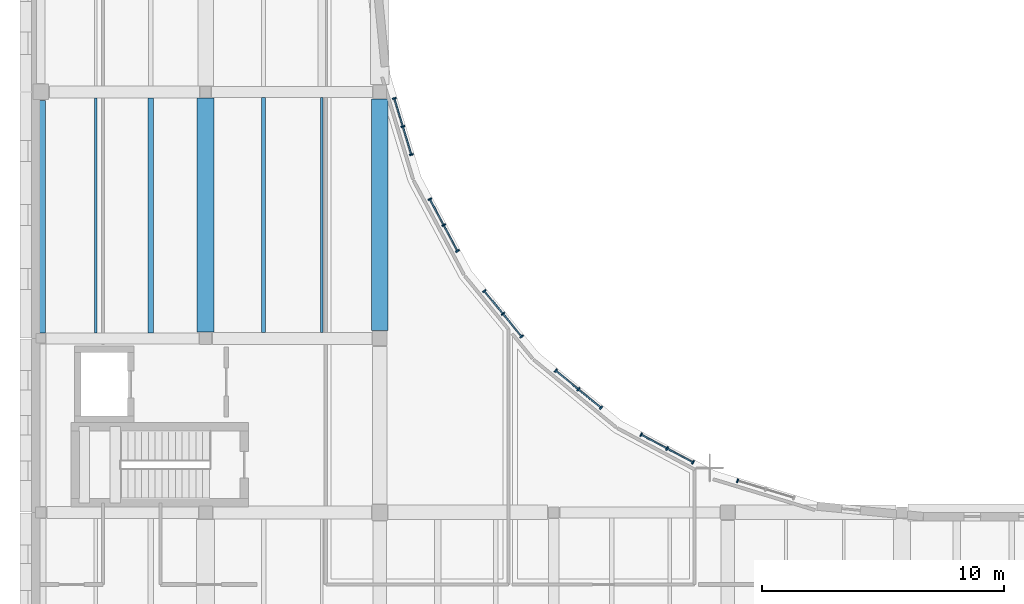
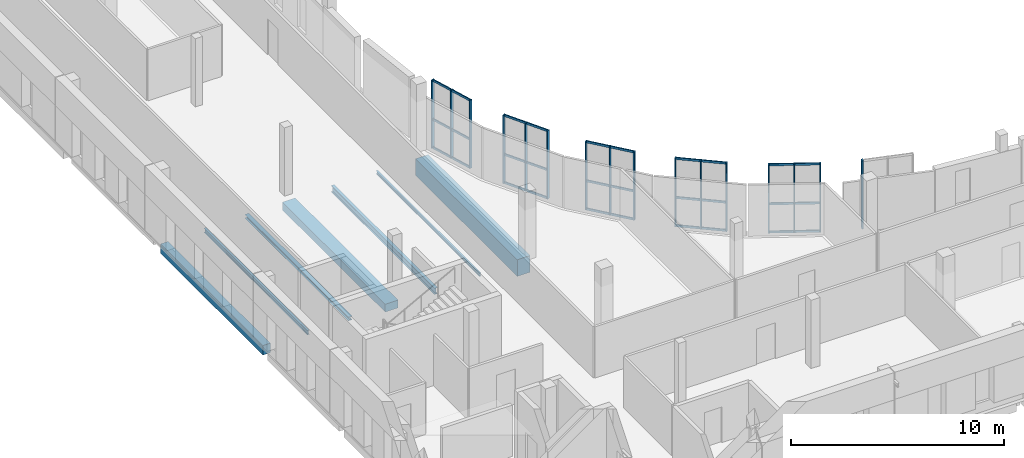
# One storey, part 9 of 76: 46 members, 7 beams, 6 elements without a shape of their own.
"""IFC4 building model written with IfcOpenShell, lengths in metres."""

from ifc_helpers import new_model, si_unit, direction, frame, origin, origin_2d, place, context, subcontext, project, spatial, rectangle, i_section, extrude, material, layer, layer_set, material_profile, profile_set, type_object, element, aggregate, save


model = new_model("IFC4")

# Units and contexts
model_context = context("Model", 3, precision=1e-05, world=origin(), true_north=direction((0.0, 1.0)))
body_context = subcontext(model_context, "Body", "Model", "MODEL_VIEW")
ifc_project = project(units=[si_unit("LENGTHUNIT", "METRE"), si_unit("AREAUNIT", "SQUARE_METRE"), si_unit("VOLUMEUNIT", "CUBIC_METRE"), si_unit("PLANEANGLEUNIT", "RADIAN"), si_unit("MASSUNIT", "GRAM", prefix="KILO")], contexts=[model_context])

# Site, building, storey
site_placement = place(None, origin())
site = spatial("IfcSite", under=ifc_project, at=site_placement, CompositionType="ELEMENT")
building_placement = place(site_placement, origin())
building = spatial("IfcBuilding", under=site, at=building_placement, Name="Vardoun Plaza Health Centre", CompositionType="ELEMENT")
storey_placement = place(building_placement, frame((0.0, 0.0, 4.5)))
storey = spatial("IfcBuildingStorey", under=building, at=storey_placement, Name="L01", CompositionType="ELEMENT", Elevation=4.5)

# Beams
ifc_material_1 = material(Name="Concrete C35/45", Category="concrete")
ifc_material_profile_1 = material_profile(ifc_material_1, rectangle(XDim=0.39990234375, YDim=0.550048828125, at=origin_2d()), Name="RC-BM 400x550")
ifc_profile_set_1 = profile_set([ifc_material_profile_1], Name="Concrete C35/45")
beam_type_1 = type_object("IfcBeamType", Name="B-09", PredefinedType="SPANDREL", material=ifc_profile_set_1)
beam_1_placement = place(storey_placement, frame((4.8798828125, 26.324951171875, -0.554931640625), z_axis=(0.0, 1.0, 0.0), x_axis=(-1.0, 0.0, 0.0)))
element("IfcBeam", 1, at=beam_1_placement, inside=storey, type_object=beam_type_1, Name="V2 L01 Beam B-V2-L01-Y36", PredefinedType="SPANDREL", context=body_context, shape_type="SweptSolid", body=[
    extrude(rectangle(XDim=0.39990234375, YDim=0.550048828125, at=origin_2d()), origin(), (0.0, 0.0, 1.0), 9.625),
])
ifc_material_2 = material(Name="Concrete C35/45", Category="concrete")
ifc_material_profile_2 = material_profile(ifc_material_2, rectangle(XDim=0.699951171875, YDim=0.449951171875, at=origin_2d()), Name="RC-BM 700x450")
ifc_profile_set_2 = profile_set([ifc_material_profile_2], Name="Concrete C35/45")
beam_type_2 = type_object("IfcBeamType", Name="B-06", PredefinedType="BEAM", material=ifc_profile_set_2)
beam_2_placement = place(storey_placement, frame((11.699951171875, 26.375, -0.5048828125), z_axis=(0.0, 1.0, 0.0), x_axis=(-1.0, 0.0, 0.0)))
element("IfcBeam", 2, at=beam_2_placement, inside=storey, type_object=beam_type_2, Name="V2 L01 Beam B-V2-L01-Y43", PredefinedType="BEAM", context=body_context, shape_type="SweptSolid", body=[
    extrude(rectangle(XDim=0.699951171875, YDim=0.449951171875, at=origin_2d()), origin(), (0.0, 0.0, 1.0), 9.675048828125),
])
ifc_material_3 = material(Name="Concrete C40/50", Category="concrete")
ifc_material_profile_3 = material_profile(ifc_material_3, rectangle(XDim=0.699951171875, YDim=0.949951171875, at=origin_2d()), Name="RC-BM 700x950")
ifc_profile_set_3 = profile_set([ifc_material_profile_3], Name="Concrete C40/50")
beam_type_3 = type_object("IfcBeamType", Name="B-16", PredefinedType="LINTEL", material=ifc_profile_set_3)
beam_3_placement = place(storey_placement, frame((18.89990234375, 26.425048828125, -0.7548828125), z_axis=(0.0, 1.0, 0.0), x_axis=(-1.0, 0.0, 0.0)))
element("IfcBeam", 3, at=beam_3_placement, inside=storey, type_object=beam_type_3, Name="V2 L01 Beam B-V2-L01-Y52", PredefinedType="LINTEL", context=body_context, shape_type="SweptSolid", body=[
    extrude(rectangle(XDim=0.699951171875, YDim=0.949951171875, at=origin_2d()), origin(), (0.0, 0.0, 1.0), 9.574951171875),
])
ifc_material_4 = material(Name="Steel S355J2", Category="steel")
ifc_material_profile_4 = material_profile(ifc_material_4, i_section(OverallWidth=0.219970703125, OverallDepth=0.2099609375, WebThickness=0.007080078125, FlangeThickness=0.010986328125, FilletRadius=0.01806640625, at=origin_2d()), Name="HEA 220")
ifc_profile_set_4 = profile_set([ifc_material_profile_4], Name="Steel S355J2")
beam_type_4 = type_object("IfcBeamType", Name="SB-08", PredefinedType="BEAM", material=ifc_profile_set_4)
beam_4_placement = place(storey_placement, frame((9.427001953125, 26.324951171875, -0.385009765625), z_axis=(0.0, 1.0, 0.0), x_axis=(-1.0, 0.0, 0.0)))
element("IfcBeam", 4, at=beam_4_placement, inside=storey, type_object=beam_type_4, Name="V2 L01 Secondary Floor Beam SJ-V2-L01-09", PredefinedType="BEAM", context=body_context, shape_type="SweptSolid", body=[
    extrude(i_section(OverallWidth=0.219970703125, OverallDepth=0.2099609375, WebThickness=0.007080078125, FlangeThickness=0.010986328125, FilletRadius=0.01806640625, at=origin_2d()), origin(), (0.0, 0.0, 1.0), 9.72509765625),
])
ifc_material_5 = material(Name="Steel S355J2", Category="steel")
ifc_material_profile_5 = material_profile(ifc_material_5, i_section(OverallWidth=0.091064453125, OverallDepth=0.179931640625, WebThickness=0.00537109375, FlangeThickness=0.008056640625, FilletRadius=0.009033203125, at=origin_2d()), Name="IPE 180")
ifc_profile_set_5 = profile_set([ifc_material_profile_5], Name="Steel S355J2")
beam_type_5 = type_object("IfcBeamType", Name="SB-20", PredefinedType="SPANDREL", material=ifc_profile_set_5)
beam_5_placement = place(storey_placement, frame((16.500244140625, 26.35009765625, -0.3701171875), z_axis=(0.0, 1.0, 0.0), x_axis=(-1.0, 0.0, 0.0)))
element("IfcBeam", 5, at=beam_5_placement, inside=storey, type_object=beam_type_5, Name="V2 L01 Secondary Floor Beam SJ-V2-L01-23", PredefinedType="SPANDREL", context=body_context, shape_type="SweptSolid", body=[
    extrude(i_section(OverallWidth=0.091064453125, OverallDepth=0.179931640625, WebThickness=0.00537109375, FlangeThickness=0.008056640625, FilletRadius=0.009033203125, at=origin_2d()), origin(), (0.0, 0.0, 1.0), 9.724853515625),
])
ifc_material_6 = material(Name="Steel S355J2", Category="steel")
ifc_material_profile_6 = material_profile(ifc_material_6, i_section(OverallWidth=0.1201171875, OverallDepth=0.239990234375, WebThickness=0.006103515625, FlangeThickness=0.009765625, FilletRadius=0.014892578125, at=origin_2d()), Name="IPE 240")
ifc_profile_set_6 = profile_set([ifc_material_profile_6], Name="Steel S355J2")
beam_type_6 = type_object("IfcBeamType", Name="SB-17", PredefinedType="JOIST", material=ifc_profile_set_6)
beam_6_placement = place(storey_placement, frame((7.153076171875, 26.324951171875, -0.39990234375), z_axis=(0.0, 1.0, 0.0), x_axis=(-1.0, 0.0, 0.0)))
element("IfcBeam", 6, at=beam_6_placement, inside=storey, type_object=beam_type_6, Name="V2 L01 Secondary Floor Beam SJ-V2-L01-02", PredefinedType="JOIST", context=body_context, shape_type="SweptSolid", body=[
    extrude(i_section(OverallWidth=0.1201171875, OverallDepth=0.239990234375, WebThickness=0.006103515625, FlangeThickness=0.009765625, FilletRadius=0.014892578125, at=origin_2d()), origin(), (0.0, 0.0, 1.0), 9.72509765625),
])
ifc_material_7 = material(Name="Steel S355J2", Category="steel")
ifc_material_profile_7 = material_profile(ifc_material_7, i_section(OverallWidth=0.169921875, OverallDepth=0.360107421875, WebThickness=0.008056640625, FlangeThickness=0.0126953125, FilletRadius=0.01806640625, at=origin_2d()), Name="IPE 360")
ifc_profile_set_7 = profile_set([ifc_material_profile_7], Name="Steel S355J2")
beam_type_7 = type_object("IfcBeamType", Name="SB-13", PredefinedType="JOIST", material=ifc_profile_set_7)
beam_7_placement = place(storey_placement, frame((14.099853515625, 26.35009765625, -0.4599609375), z_axis=(0.0, 1.0, 0.0), x_axis=(-1.0, 0.0, 0.0)))
element("IfcBeam", 7, at=beam_7_placement, inside=storey, type_object=beam_type_7, Name="V2 L01 Secondary Floor Beam SJ-V2-L01-16", PredefinedType="JOIST", context=body_context, shape_type="SweptSolid", body=[
    extrude(i_section(OverallWidth=0.169921875, OverallDepth=0.360107421875, WebThickness=0.008056640625, FlangeThickness=0.0126953125, FilletRadius=0.01806640625, at=origin_2d()), origin(), (0.0, 0.0, 1.0), 9.724853515625),
])

# Curtain wall, members
ifc_material_8 = material(Name="Aluminium Alloy EN AW-6063-T6 and Low-E Glass", Category="aluminium")
ifc_layer = layer(ifc_material_8, 0.159912109375)
ifc_layer_set = layer_set([ifc_layer], Name="Aluminium Alloy EN AW-6063-T6 and Low-E Glass")
curtain_wall_type = type_object("IfcCurtainWallType", Name="CW-02", PredefinedType="USERDEFINED", material=ifc_layer_set)
curtain_wall_1_placement = place(storey_placement, origin())
curtain_wall_1 = element("IfcCurtainWall", 8, at=curtain_wall_1_placement, inside=storey, type_object=curtain_wall_type, Name="Curtain Wall CW-V2-039", ObjectType="COURTYARD_CURTAIN_WALL", PredefinedType="USERDEFINED")
ifc_material_9 = material(Name="Aluminium Alloy EN AW-6063-T6", Category="aluminium")
ifc_material_profile_8 = material_profile(ifc_material_9, rectangle(XDim=0.159912109375, YDim=0.06005859375, at=origin_2d()), Name="CWM 60x160")
ifc_profile_set_8 = profile_set([ifc_material_profile_8], Name="Aluminium Alloy EN AW-6063-T6")
member_type_1 = type_object("IfcMemberType", Name="CW-M1", PredefinedType="MULLION", material=ifc_profile_set_8)
member_1_placement = place(storey_placement, frame((19.5048828125, 36.0283203125, 0.0), z_axis=(0.0, 0.0, 1.0), x_axis=(0.956935557474, 0.290300428595, 0.0)))
member_1 = element("IfcMember", 9, at=member_1_placement, type_object=member_type_1, Name="CW-V2-039 mullion 1", PredefinedType="MULLION", context=body_context, shape_type="SweptSolid", body=[
    extrude(rectangle(XDim=0.159912109375, YDim=0.06005859375, at=origin_2d()), origin(), (0.0, 0.0, 1.0), 3.919921875),
])
member_2_placement = place(storey_placement, frame((19.857666015625, 34.865234375, 0.0), z_axis=(0.0, 0.0, 1.0), x_axis=(0.956935557474, 0.290300428595, 0.0)))
member_2 = element("IfcMember", 10, at=member_2_placement, type_object=member_type_1, Name="CW-V2-039 mullion 2", PredefinedType="MULLION", context=body_context, shape_type="SweptSolid", body=[
    extrude(rectangle(XDim=0.159912109375, YDim=0.06005859375, at=origin_2d()), origin(), (0.0, 0.0, 1.0), 3.919921875),
])
member_3_placement = place(storey_placement, frame((20.21044921875, 33.7021484375, 0.0), z_axis=(0.0, 0.0, 1.0), x_axis=(0.956935557474, 0.290300428595, 0.0)))
member_3 = element("IfcMember", 11, at=member_3_placement, type_object=member_type_1, Name="CW-V2-039 mullion 3", PredefinedType="MULLION", context=body_context, shape_type="SweptSolid", body=[
    extrude(rectangle(XDim=0.159912109375, YDim=0.06005859375, at=origin_2d()), origin(), (0.0, 0.0, 1.0), 3.919921875),
])

curtain_wall_2_placement = place(storey_placement, origin())
curtain_wall_2 = element("IfcCurtainWall", 12, at=curtain_wall_2_placement, inside=storey, type_object=curtain_wall_type, Name="Curtain Wall CW-V2-040", ObjectType="COURTYARD_CURTAIN_WALL", PredefinedType="USERDEFINED")
member_4_placement = place(storey_placement, frame((20.9736328125, 31.860107421875, 0.0), z_axis=(0.0, 0.0, 1.0), x_axis=(0.881922459667, 0.471394500535, 0.0)))
member_4 = element("IfcMember", 13, at=member_4_placement, type_object=member_type_1, Name="CW-V2-040 mullion 1", PredefinedType="MULLION", context=body_context, shape_type="SweptSolid", body=[
    extrude(rectangle(XDim=0.159912109375, YDim=0.06005859375, at=origin_2d()), origin(), (0.0, 0.0, 1.0), 3.919921875),
])
member_5_placement = place(storey_placement, frame((21.54638671875, 30.7880859375, 0.0), z_axis=(0.0, 0.0, 1.0), x_axis=(0.881922459667, 0.471394500535, 0.0)))
member_5 = element("IfcMember", 14, at=member_5_placement, type_object=member_type_1, Name="CW-V2-040 mullion 2", PredefinedType="MULLION", context=body_context, shape_type="SweptSolid", body=[
    extrude(rectangle(XDim=0.159912109375, YDim=0.06005859375, at=origin_2d()), origin(), (0.0, 0.0, 1.0), 3.919921875),
])
member_6_placement = place(storey_placement, frame((22.119384765625, 29.71630859375, 0.0), z_axis=(0.0, 0.0, 1.0), x_axis=(0.881922459667, 0.471394500535, 0.0)))
member_6 = element("IfcMember", 15, at=member_6_placement, type_object=member_type_1, Name="CW-V2-040 mullion 3", PredefinedType="MULLION", context=body_context, shape_type="SweptSolid", body=[
    extrude(rectangle(XDim=0.159912109375, YDim=0.06005859375, at=origin_2d()), origin(), (0.0, 0.0, 1.0), 3.919921875),
])

curtain_wall_3_placement = place(storey_placement, origin())
curtain_wall_3 = element("IfcCurtainWall", 16, at=curtain_wall_3_placement, inside=storey, type_object=curtain_wall_type, Name="Curtain Wall CW-V2-041", ObjectType="COURTYARD_CURTAIN_WALL", PredefinedType="USERDEFINED")
member_7_placement = place(storey_placement, frame((23.227294921875, 28.058349609375, 0.0), z_axis=(0.0, 0.0, 1.0), x_axis=(0.773017333238, 0.634384900919, 0.0)))
member_7 = element("IfcMember", 17, at=member_7_placement, type_object=member_type_1, Name="CW-V2-041 mullion 1", PredefinedType="MULLION", context=body_context, shape_type="SweptSolid", body=[
    extrude(rectangle(XDim=0.159912109375, YDim=0.06005859375, at=origin_2d()), origin(), (0.0, 0.0, 1.0), 3.919921875),
])
member_8_placement = place(storey_placement, frame((23.998291015625, 27.118896484375, 0.0), z_axis=(0.0, 0.0, 1.0), x_axis=(0.773017333238, 0.634384900919, 0.0)))
member_8 = element("IfcMember", 18, at=member_8_placement, type_object=member_type_1, Name="CW-V2-041 mullion 2", PredefinedType="MULLION", context=body_context, shape_type="SweptSolid", body=[
    extrude(rectangle(XDim=0.159912109375, YDim=0.06005859375, at=origin_2d()), origin(), (0.0, 0.0, 1.0), 3.919921875),
])
member_9_placement = place(storey_placement, frame((24.769287109375, 26.17919921875, 0.0), z_axis=(0.0, 0.0, 1.0), x_axis=(0.773017333238, 0.634384900919, 0.0)))
member_9 = element("IfcMember", 19, at=member_9_placement, type_object=member_type_1, Name="CW-V2-041 mullion 3", PredefinedType="MULLION", context=body_context, shape_type="SweptSolid", body=[
    extrude(rectangle(XDim=0.159912109375, YDim=0.06005859375, at=origin_2d()), origin(), (0.0, 0.0, 1.0), 3.919921875),
])

curtain_wall_4_placement = place(storey_placement, origin())
curtain_wall_4 = element("IfcCurtainWall", 20, at=curtain_wall_4_placement, inside=storey, type_object=curtain_wall_type, Name="Curtain Wall CW-V2-042", ObjectType="COURTYARD_CURTAIN_WALL", PredefinedType="USERDEFINED")
member_10_placement = place(storey_placement, frame((26.17919921875, 24.769287109375, 0.0), z_axis=(0.0, 0.0, 1.0), x_axis=(0.634384900919, 0.773017333238, 0.0)))
member_10 = element("IfcMember", 21, at=member_10_placement, type_object=member_type_1, Name="CW-V2-042 mullion 1", PredefinedType="MULLION", context=body_context, shape_type="SweptSolid", body=[
    extrude(rectangle(XDim=0.159912109375, YDim=0.06005859375, at=origin_2d()), origin(), (0.0, 0.0, 1.0), 3.919921875),
])
member_11_placement = place(storey_placement, frame((27.118896484375, 23.998291015625, 0.0), z_axis=(0.0, 0.0, 1.0), x_axis=(0.634384900919, 0.773017333238, 0.0)))
member_11 = element("IfcMember", 22, at=member_11_placement, type_object=member_type_1, Name="CW-V2-042 mullion 2", PredefinedType="MULLION", context=body_context, shape_type="SweptSolid", body=[
    extrude(rectangle(XDim=0.159912109375, YDim=0.06005859375, at=origin_2d()), origin(), (0.0, 0.0, 1.0), 3.919921875),
])
member_12_placement = place(storey_placement, frame((28.058349609375, 23.227294921875, 0.0), z_axis=(0.0, 0.0, 1.0), x_axis=(0.634384900919, 0.773017333238, 0.0)))
member_12 = element("IfcMember", 23, at=member_12_placement, type_object=member_type_1, Name="CW-V2-042 mullion 3", PredefinedType="MULLION", context=body_context, shape_type="SweptSolid", body=[
    extrude(rectangle(XDim=0.159912109375, YDim=0.06005859375, at=origin_2d()), origin(), (0.0, 0.0, 1.0), 3.919921875),
])

curtain_wall_5_placement = place(storey_placement, origin())
curtain_wall_5 = element("IfcCurtainWall", 24, at=curtain_wall_5_placement, inside=storey, type_object=curtain_wall_type, Name="Curtain Wall CW-V2-043", ObjectType="COURTYARD_CURTAIN_WALL", PredefinedType="USERDEFINED")
member_13_placement = place(storey_placement, frame((29.71630859375, 22.119384765625, 0.0), z_axis=(0.0, 0.0, 1.0), x_axis=(0.471394500535, 0.881922459667, 0.0)))
member_13 = element("IfcMember", 25, at=member_13_placement, type_object=member_type_1, Name="CW-V2-043 mullion 1", PredefinedType="MULLION", context=body_context, shape_type="SweptSolid", body=[
    extrude(rectangle(XDim=0.159912109375, YDim=0.06005859375, at=origin_2d()), origin(), (0.0, 0.0, 1.0), 3.919921875),
])
member_14_placement = place(storey_placement, frame((30.7880859375, 21.54638671875, 0.0), z_axis=(0.0, 0.0, 1.0), x_axis=(0.471394500535, 0.881922459667, 0.0)))
member_14 = element("IfcMember", 26, at=member_14_placement, type_object=member_type_1, Name="CW-V2-043 mullion 2", PredefinedType="MULLION", context=body_context, shape_type="SweptSolid", body=[
    extrude(rectangle(XDim=0.159912109375, YDim=0.06005859375, at=origin_2d()), origin(), (0.0, 0.0, 1.0), 3.919921875),
])
member_15_placement = place(storey_placement, frame((31.860107421875, 20.9736328125, 0.0), z_axis=(0.0, 0.0, 1.0), x_axis=(0.471394500535, 0.881922459667, 0.0)))
member_15 = element("IfcMember", 27, at=member_15_placement, type_object=member_type_1, Name="CW-V2-043 mullion 3", PredefinedType="MULLION", context=body_context, shape_type="SweptSolid", body=[
    extrude(rectangle(XDim=0.159912109375, YDim=0.06005859375, at=origin_2d()), origin(), (0.0, 0.0, 1.0), 3.919921875),
])

# Curtain wall, member
curtain_wall_6_placement = place(storey_placement, origin())
curtain_wall_6 = element("IfcCurtainWall", 28, at=curtain_wall_6_placement, inside=storey, type_object=curtain_wall_type, Name="Curtain Wall CW-V2-044", ObjectType="COURTYARD_CURTAIN_WALL", PredefinedType="USERDEFINED")
member_16_placement = place(storey_placement, frame((33.7021484375, 20.21044921875, 0.0), z_axis=(0.0, 0.0, 1.0), x_axis=(0.290300428595, 0.956935557474, 0.0)))
member_16 = element("IfcMember", 29, at=member_16_placement, type_object=member_type_1, Name="CW-V2-044 mullion 1", PredefinedType="MULLION", context=body_context, shape_type="SweptSolid", body=[
    extrude(rectangle(XDim=0.159912109375, YDim=0.06005859375, at=origin_2d()), origin(), (0.0, 0.0, 1.0), 3.919921875),
])
aggregate(curtain_wall_6, [member_16])

# Member
ifc_material_10 = material(Name="Aluminium Alloy EN AW-6063-T6", Category="aluminium")
ifc_material_profile_9 = material_profile(ifc_material_10, rectangle(XDim=0.06005859375, YDim=0.1201171875, at=origin_2d()), Name="CWT 60x120")
ifc_profile_set_9 = profile_set([ifc_material_profile_9], Name="Aluminium Alloy EN AW-6063-T6")
member_type_2 = type_object("IfcMemberType", Name="CW-T1", PredefinedType="USERDEFINED", material=ifc_profile_set_9)
member_17_placement = place(storey_placement, frame((19.513427734375, 35.99951171875, 0.030029296875), z_axis=(0.290371029986, -0.956914136663, 0.0), x_axis=(0.956914136663, 0.290371029986, 0.0)))
member_17 = element("IfcMember", 30, at=member_17_placement, type_object=member_type_2, Name="CW-V2-039 transom 1.1", ObjectType="TRANSOM", PredefinedType="USERDEFINED", context=body_context, shape_type="SweptSolid", body=[
    extrude(rectangle(XDim=0.06005859375, YDim=0.1201171875, at=origin_2d()), origin(), (0.0, 0.0, 1.0), 1.1552734375),
])

member_18_placement = place(storey_placement, frame((19.513427734375, 35.99951171875, 1.646484375), z_axis=(0.290371029986, -0.956914136663, 0.0), x_axis=(0.956914136663, 0.290371029986, 0.0)))
member_18 = element("IfcMember", 31, at=member_18_placement, type_object=member_type_2, Name="CW-V2-039 transom 1.2", ObjectType="TRANSOM", PredefinedType="USERDEFINED", context=body_context, shape_type="SweptSolid", body=[
    extrude(rectangle(XDim=0.06005859375, YDim=0.1201171875, at=origin_2d()), origin(), (0.0, 0.0, 1.0), 1.1552734375),
])

member_19_placement = place(storey_placement, frame((19.513427734375, 35.99951171875, 3.889892578125), z_axis=(0.290371029986, -0.956914136663, 0.0), x_axis=(0.956914136663, 0.290371029986, 0.0)))
member_19 = element("IfcMember", 32, at=member_19_placement, type_object=member_type_2, Name="CW-V2-039 transom 1.3", ObjectType="TRANSOM", PredefinedType="USERDEFINED", context=body_context, shape_type="SweptSolid", body=[
    extrude(rectangle(XDim=0.06005859375, YDim=0.1201171875, at=origin_2d()), origin(), (0.0, 0.0, 1.0), 1.1552734375),
])

member_20_placement = place(storey_placement, frame((19.866455078125, 34.83642578125, 0.030029296875), z_axis=(0.290118820475, -0.956990632141, 0.0), x_axis=(0.956990632141, 0.290118820475, 0.0)))
member_20 = element("IfcMember", 33, at=member_20_placement, type_object=member_type_2, Name="CW-V2-039 transom 2.1", ObjectType="TRANSOM", PredefinedType="USERDEFINED", context=body_context, shape_type="SweptSolid", body=[
    extrude(rectangle(XDim=0.06005859375, YDim=0.1201171875, at=origin_2d()), origin(), (0.0, 0.0, 1.0), 1.155517578125),
])

member_21_placement = place(storey_placement, frame((19.866455078125, 34.83642578125, 1.646484375), z_axis=(0.290118820475, -0.956990632141, 0.0), x_axis=(0.956990632141, 0.290118820475, 0.0)))
member_21 = element("IfcMember", 34, at=member_21_placement, type_object=member_type_2, Name="CW-V2-039 transom 2.2", ObjectType="TRANSOM", PredefinedType="USERDEFINED", context=body_context, shape_type="SweptSolid", body=[
    extrude(rectangle(XDim=0.06005859375, YDim=0.1201171875, at=origin_2d()), origin(), (0.0, 0.0, 1.0), 1.155517578125),
])

member_22_placement = place(storey_placement, frame((19.866455078125, 34.83642578125, 3.889892578125), z_axis=(0.290118820475, -0.956990632141, 0.0), x_axis=(0.956990632141, 0.290118820475, 0.0)))
member_22 = element("IfcMember", 35, at=member_22_placement, type_object=member_type_2, Name="CW-V2-039 transom 2.3", ObjectType="TRANSOM", PredefinedType="USERDEFINED", context=body_context, shape_type="SweptSolid", body=[
    extrude(rectangle(XDim=0.06005859375, YDim=0.1201171875, at=origin_2d()), origin(), (0.0, 0.0, 1.0), 1.155517578125),
])

aggregate(curtain_wall_1, [member_1, member_2, member_3, member_17, member_18, member_19, member_20, member_21, member_22])

member_23_placement = place(storey_placement, frame((20.98779296875, 31.83349609375, 0.030029296875), z_axis=(0.471388605101, -0.881925610798, 0.0), x_axis=(0.881925610798, 0.471388605101, 0.0)))
member_23 = element("IfcMember", 36, at=member_23_placement, type_object=member_type_2, Name="CW-V2-040 transom 1.1", ObjectType="TRANSOM", PredefinedType="USERDEFINED", context=body_context, shape_type="SweptSolid", body=[
    extrude(rectangle(XDim=0.06005859375, YDim=0.1201171875, at=origin_2d()), origin(), (0.0, 0.0, 1.0), 1.155517578125),
])

member_24_placement = place(storey_placement, frame((20.98779296875, 31.83349609375, 1.646484375), z_axis=(0.471388605101, -0.881925610798, 0.0), x_axis=(0.881925610798, 0.471388605101, 0.0)))
member_24 = element("IfcMember", 37, at=member_24_placement, type_object=member_type_2, Name="CW-V2-040 transom 1.2", ObjectType="TRANSOM", PredefinedType="USERDEFINED", context=body_context, shape_type="SweptSolid", body=[
    extrude(rectangle(XDim=0.06005859375, YDim=0.1201171875, at=origin_2d()), origin(), (0.0, 0.0, 1.0), 1.155517578125),
])

member_25_placement = place(storey_placement, frame((20.98779296875, 31.83349609375, 3.889892578125), z_axis=(0.471388605101, -0.881925610798, 0.0), x_axis=(0.881925610798, 0.471388605101, 0.0)))
member_25 = element("IfcMember", 38, at=member_25_placement, type_object=member_type_2, Name="CW-V2-040 transom 1.3", ObjectType="TRANSOM", PredefinedType="USERDEFINED", context=body_context, shape_type="SweptSolid", body=[
    extrude(rectangle(XDim=0.06005859375, YDim=0.1201171875, at=origin_2d()), origin(), (0.0, 0.0, 1.0), 1.155517578125),
])

member_26_placement = place(storey_placement, frame((21.560546875, 30.76171875, 0.030029296875), z_axis=(0.471388605101, -0.881925610798, 0.0), x_axis=(0.881925610798, 0.471388605101, 0.0)))
member_26 = element("IfcMember", 39, at=member_26_placement, type_object=member_type_2, Name="CW-V2-040 transom 2.1", ObjectType="TRANSOM", PredefinedType="USERDEFINED", context=body_context, shape_type="SweptSolid", body=[
    extrude(rectangle(XDim=0.06005859375, YDim=0.1201171875, at=origin_2d()), origin(), (0.0, 0.0, 1.0), 1.155517578125),
])

member_27_placement = place(storey_placement, frame((21.560546875, 30.76171875, 1.646484375), z_axis=(0.471388605101, -0.881925610798, 0.0), x_axis=(0.881925610798, 0.471388605101, 0.0)))
member_27 = element("IfcMember", 40, at=member_27_placement, type_object=member_type_2, Name="CW-V2-040 transom 2.2", ObjectType="TRANSOM", PredefinedType="USERDEFINED", context=body_context, shape_type="SweptSolid", body=[
    extrude(rectangle(XDim=0.06005859375, YDim=0.1201171875, at=origin_2d()), origin(), (0.0, 0.0, 1.0), 1.155517578125),
])

member_28_placement = place(storey_placement, frame((21.560546875, 30.76171875, 3.889892578125), z_axis=(0.471388605101, -0.881925610798, 0.0), x_axis=(0.881925610798, 0.471388605101, 0.0)))
member_28 = element("IfcMember", 41, at=member_28_placement, type_object=member_type_2, Name="CW-V2-040 transom 2.3", ObjectType="TRANSOM", PredefinedType="USERDEFINED", context=body_context, shape_type="SweptSolid", body=[
    extrude(rectangle(XDim=0.06005859375, YDim=0.1201171875, at=origin_2d()), origin(), (0.0, 0.0, 1.0), 1.155517578125),
])

aggregate(curtain_wall_2, [member_4, member_5, member_6, member_23, member_24, member_25, member_26, member_27, member_28])

member_29_placement = place(storey_placement, frame((23.246337890625, 28.03515625, 0.030029296875), z_axis=(0.634387852226, -0.773014911207, 0.0), x_axis=(0.773014911207, 0.634387852226, 0.0)))
member_29 = element("IfcMember", 42, at=member_29_placement, type_object=member_type_2, Name="CW-V2-041 transom 1.1", ObjectType="TRANSOM", PredefinedType="USERDEFINED", context=body_context, shape_type="SweptSolid", body=[
    extrude(rectangle(XDim=0.06005859375, YDim=0.1201171875, at=origin_2d()), origin(), (0.0, 0.0, 1.0), 1.1552734375),
])

member_30_placement = place(storey_placement, frame((23.246337890625, 28.03515625, 1.646484375), z_axis=(0.634387852226, -0.773014911207, 0.0), x_axis=(0.773014911207, 0.634387852226, 0.0)))
member_30 = element("IfcMember", 43, at=member_30_placement, type_object=member_type_2, Name="CW-V2-041 transom 1.2", ObjectType="TRANSOM", PredefinedType="USERDEFINED", context=body_context, shape_type="SweptSolid", body=[
    extrude(rectangle(XDim=0.06005859375, YDim=0.1201171875, at=origin_2d()), origin(), (0.0, 0.0, 1.0), 1.1552734375),
])

member_31_placement = place(storey_placement, frame((23.246337890625, 28.03515625, 3.889892578125), z_axis=(0.634387852226, -0.773014911207, 0.0), x_axis=(0.773014911207, 0.634387852226, 0.0)))
member_31 = element("IfcMember", 44, at=member_31_placement, type_object=member_type_2, Name="CW-V2-041 transom 1.3", ObjectType="TRANSOM", PredefinedType="USERDEFINED", context=body_context, shape_type="SweptSolid", body=[
    extrude(rectangle(XDim=0.06005859375, YDim=0.1201171875, at=origin_2d()), origin(), (0.0, 0.0, 1.0), 1.1552734375),
])

member_32_placement = place(storey_placement, frame((24.017333984375, 27.095703125, 0.030029296875), z_axis=(0.634284233119, -0.77309993637, 0.0), x_axis=(0.77309993637, 0.634284233119, 0.0)))
member_32 = element("IfcMember", 45, at=member_32_placement, type_object=member_type_2, Name="CW-V2-041 transom 2.1", ObjectType="TRANSOM", PredefinedType="USERDEFINED", context=body_context, shape_type="SweptSolid", body=[
    extrude(rectangle(XDim=0.06005859375, YDim=0.1201171875, at=origin_2d()), origin(), (0.0, 0.0, 1.0), 1.155517578125),
])

member_33_placement = place(storey_placement, frame((24.017333984375, 27.095703125, 1.646484375), z_axis=(0.634284233119, -0.77309993637, 0.0), x_axis=(0.77309993637, 0.634284233119, 0.0)))
member_33 = element("IfcMember", 46, at=member_33_placement, type_object=member_type_2, Name="CW-V2-041 transom 2.2", ObjectType="TRANSOM", PredefinedType="USERDEFINED", context=body_context, shape_type="SweptSolid", body=[
    extrude(rectangle(XDim=0.06005859375, YDim=0.1201171875, at=origin_2d()), origin(), (0.0, 0.0, 1.0), 1.155517578125),
])

member_34_placement = place(storey_placement, frame((24.017333984375, 27.095703125, 3.889892578125), z_axis=(0.634284233119, -0.77309993637, 0.0), x_axis=(0.77309993637, 0.634284233119, 0.0)))
member_34 = element("IfcMember", 47, at=member_34_placement, type_object=member_type_2, Name="CW-V2-041 transom 2.3", ObjectType="TRANSOM", PredefinedType="USERDEFINED", context=body_context, shape_type="SweptSolid", body=[
    extrude(rectangle(XDim=0.06005859375, YDim=0.1201171875, at=origin_2d()), origin(), (0.0, 0.0, 1.0), 1.155517578125),
])

aggregate(curtain_wall_3, [member_7, member_8, member_9, member_29, member_30, member_31, member_32, member_33, member_34])

member_35_placement = place(storey_placement, frame((26.202392578125, 24.750244140625, 0.030029296875), z_axis=(0.77309993637, -0.634284233119, 0.0), x_axis=(0.634284233119, 0.77309993637, 0.0)))
member_35 = element("IfcMember", 48, at=member_35_placement, type_object=member_type_2, Name="CW-V2-042 transom 1.1", ObjectType="TRANSOM", PredefinedType="USERDEFINED", context=body_context, shape_type="SweptSolid", body=[
    extrude(rectangle(XDim=0.06005859375, YDim=0.1201171875, at=origin_2d()), origin(), (0.0, 0.0, 1.0), 1.155517578125),
])

member_36_placement = place(storey_placement, frame((26.202392578125, 24.750244140625, 1.646484375), z_axis=(0.77309993637, -0.634284233119, 0.0), x_axis=(0.634284233119, 0.77309993637, 0.0)))
member_36 = element("IfcMember", 49, at=member_36_placement, type_object=member_type_2, Name="CW-V2-042 transom 1.2", ObjectType="TRANSOM", PredefinedType="USERDEFINED", context=body_context, shape_type="SweptSolid", body=[
    extrude(rectangle(XDim=0.06005859375, YDim=0.1201171875, at=origin_2d()), origin(), (0.0, 0.0, 1.0), 1.155517578125),
])

member_37_placement = place(storey_placement, frame((26.202392578125, 24.750244140625, 3.889892578125), z_axis=(0.77309993637, -0.634284233119, 0.0), x_axis=(0.634284233119, 0.77309993637, 0.0)))
member_37 = element("IfcMember", 50, at=member_37_placement, type_object=member_type_2, Name="CW-V2-042 transom 1.3", ObjectType="TRANSOM", PredefinedType="USERDEFINED", context=body_context, shape_type="SweptSolid", body=[
    extrude(rectangle(XDim=0.06005859375, YDim=0.1201171875, at=origin_2d()), origin(), (0.0, 0.0, 1.0), 1.155517578125),
])

member_38_placement = place(storey_placement, frame((27.14208984375, 23.979248046875, 0.030029296875), z_axis=(0.773014911207, -0.634387852226, 0.0), x_axis=(0.634387852226, 0.773014911207, 0.0)))
member_38 = element("IfcMember", 51, at=member_38_placement, type_object=member_type_2, Name="CW-V2-042 transom 2.1", ObjectType="TRANSOM", PredefinedType="USERDEFINED", context=body_context, shape_type="SweptSolid", body=[
    extrude(rectangle(XDim=0.06005859375, YDim=0.1201171875, at=origin_2d()), origin(), (0.0, 0.0, 1.0), 1.1552734375),
])

member_39_placement = place(storey_placement, frame((27.14208984375, 23.979248046875, 1.646484375), z_axis=(0.773014911207, -0.634387852226, 0.0), x_axis=(0.634387852226, 0.773014911207, 0.0)))
member_39 = element("IfcMember", 52, at=member_39_placement, type_object=member_type_2, Name="CW-V2-042 transom 2.2", ObjectType="TRANSOM", PredefinedType="USERDEFINED", context=body_context, shape_type="SweptSolid", body=[
    extrude(rectangle(XDim=0.06005859375, YDim=0.1201171875, at=origin_2d()), origin(), (0.0, 0.0, 1.0), 1.1552734375),
])

member_40_placement = place(storey_placement, frame((27.14208984375, 23.979248046875, 3.889892578125), z_axis=(0.773014911207, -0.634387852226, 0.0), x_axis=(0.634387852226, 0.773014911207, 0.0)))
member_40 = element("IfcMember", 53, at=member_40_placement, type_object=member_type_2, Name="CW-V2-042 transom 2.3", ObjectType="TRANSOM", PredefinedType="USERDEFINED", context=body_context, shape_type="SweptSolid", body=[
    extrude(rectangle(XDim=0.06005859375, YDim=0.1201171875, at=origin_2d()), origin(), (0.0, 0.0, 1.0), 1.1552734375),
])

aggregate(curtain_wall_4, [member_10, member_11, member_12, member_35, member_36, member_37, member_38, member_39, member_40])

member_41_placement = place(storey_placement, frame((29.74267578125, 22.105224609375, 0.030029296875), z_axis=(0.881925610798, -0.471388605101, 0.0), x_axis=(0.471388605101, 0.881925610798, 0.0)))
member_41 = element("IfcMember", 54, at=member_41_placement, type_object=member_type_2, Name="CW-V2-043 transom 1.1", ObjectType="TRANSOM", PredefinedType="USERDEFINED", context=body_context, shape_type="SweptSolid", body=[
    extrude(rectangle(XDim=0.06005859375, YDim=0.1201171875, at=origin_2d()), origin(), (0.0, 0.0, 1.0), 1.155517578125),
])

member_42_placement = place(storey_placement, frame((29.74267578125, 22.105224609375, 1.646484375), z_axis=(0.881925610798, -0.471388605101, 0.0), x_axis=(0.471388605101, 0.881925610798, 0.0)))
member_42 = element("IfcMember", 55, at=member_42_placement, type_object=member_type_2, Name="CW-V2-043 transom 1.2", ObjectType="TRANSOM", PredefinedType="USERDEFINED", context=body_context, shape_type="SweptSolid", body=[
    extrude(rectangle(XDim=0.06005859375, YDim=0.1201171875, at=origin_2d()), origin(), (0.0, 0.0, 1.0), 1.155517578125),
])

member_43_placement = place(storey_placement, frame((29.74267578125, 22.105224609375, 3.889892578125), z_axis=(0.881925610798, -0.471388605101, 0.0), x_axis=(0.471388605101, 0.881925610798, 0.0)))
member_43 = element("IfcMember", 56, at=member_43_placement, type_object=member_type_2, Name="CW-V2-043 transom 1.3", ObjectType="TRANSOM", PredefinedType="USERDEFINED", context=body_context, shape_type="SweptSolid", body=[
    extrude(rectangle(XDim=0.06005859375, YDim=0.1201171875, at=origin_2d()), origin(), (0.0, 0.0, 1.0), 1.155517578125),
])

member_44_placement = place(storey_placement, frame((30.814453125, 21.532470703125, 0.030029296875), z_axis=(0.881925610798, -0.471388605101, 0.0), x_axis=(0.471388605101, 0.881925610798, 0.0)))
member_44 = element("IfcMember", 57, at=member_44_placement, type_object=member_type_2, Name="CW-V2-043 transom 2.1", ObjectType="TRANSOM", PredefinedType="USERDEFINED", context=body_context, shape_type="SweptSolid", body=[
    extrude(rectangle(XDim=0.06005859375, YDim=0.1201171875, at=origin_2d()), origin(), (0.0, 0.0, 1.0), 1.155517578125),
])

member_45_placement = place(storey_placement, frame((30.814453125, 21.532470703125, 1.646484375), z_axis=(0.881925610798, -0.471388605101, 0.0), x_axis=(0.471388605101, 0.881925610798, 0.0)))
member_45 = element("IfcMember", 58, at=member_45_placement, type_object=member_type_2, Name="CW-V2-043 transom 2.2", ObjectType="TRANSOM", PredefinedType="USERDEFINED", context=body_context, shape_type="SweptSolid", body=[
    extrude(rectangle(XDim=0.06005859375, YDim=0.1201171875, at=origin_2d()), origin(), (0.0, 0.0, 1.0), 1.155517578125),
])

member_46_placement = place(storey_placement, frame((30.814453125, 21.532470703125, 3.889892578125), z_axis=(0.881925610798, -0.471388605101, 0.0), x_axis=(0.471388605101, 0.881925610798, 0.0)))
member_46 = element("IfcMember", 59, at=member_46_placement, type_object=member_type_2, Name="CW-V2-043 transom 2.3", ObjectType="TRANSOM", PredefinedType="USERDEFINED", context=body_context, shape_type="SweptSolid", body=[
    extrude(rectangle(XDim=0.06005859375, YDim=0.1201171875, at=origin_2d()), origin(), (0.0, 0.0, 1.0), 1.155517578125),
])

aggregate(curtain_wall_5, [member_13, member_14, member_15, member_41, member_42, member_43, member_44, member_45, member_46])

save(model, "model.ifc")
